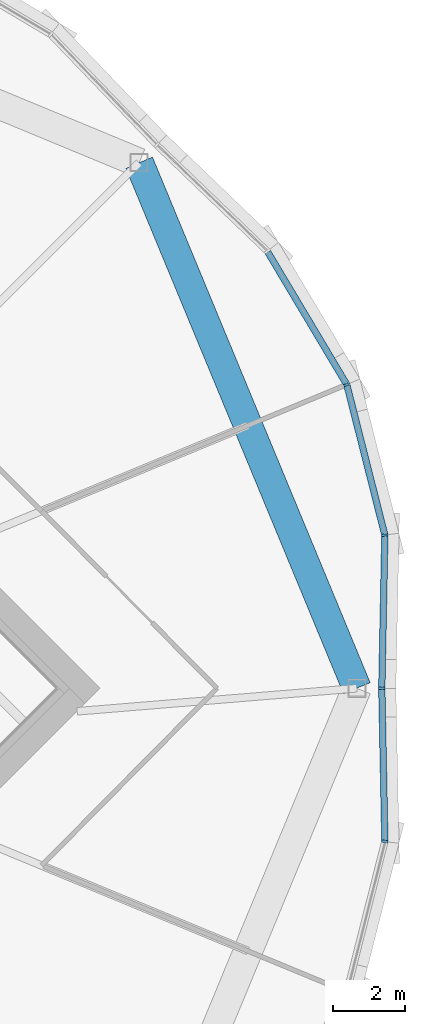
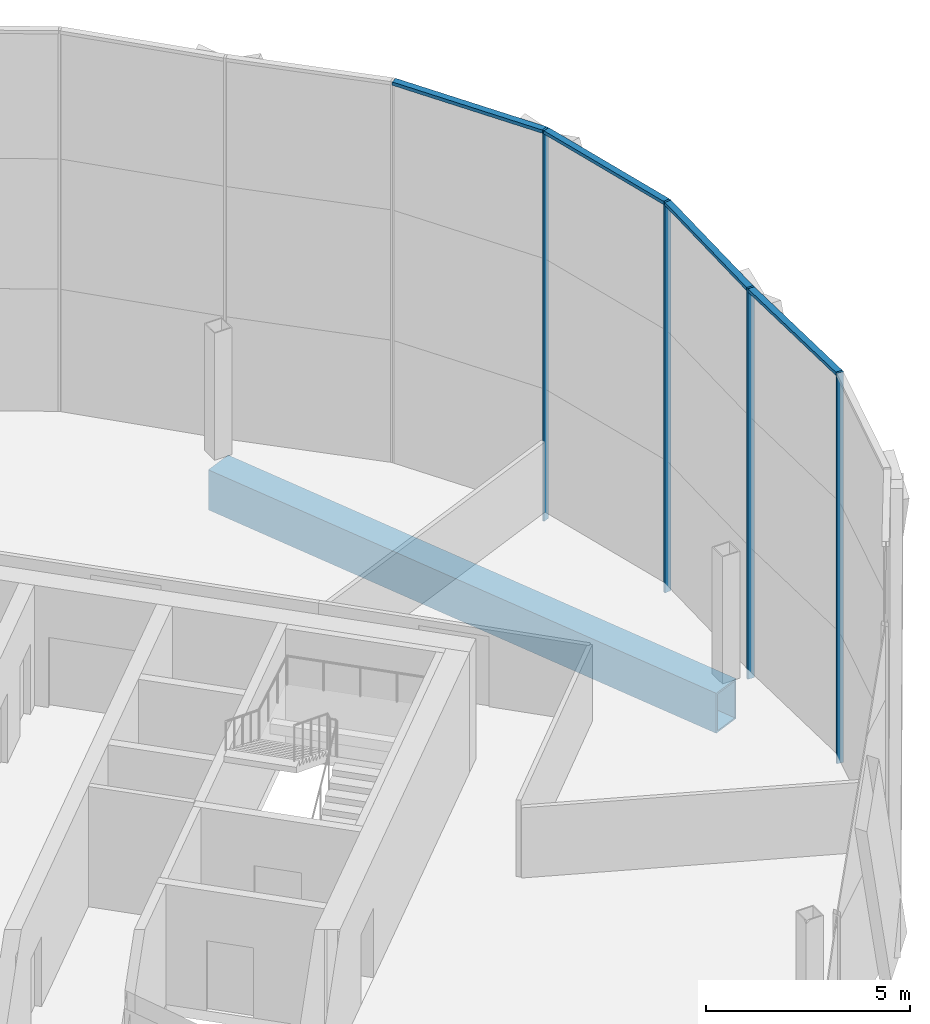
# One storey, part 12 of 25: 8 members, 1 beam, 2 elements without a shape of their own.
"""IFC4 building model written with IfcOpenShell, lengths in metres."""

import ifcopenshell
import ifcopenshell.guid

model = None  # the IFC model being written
_history = None  # IfcOwnerHistory: only IFC2X3 demands one
_inside = {}  # id of a spatial element -> (the spatial element, [elements in it])
_under = {}  # id of a project, library or spatial element -> (it, [spatial elements below it])
_declared = {}  # id of a project -> (the project, [libraries it declares])
_typed = {}  # id of a type object -> (the type object, [elements of that type])
_made_of = {}  # id of a material, layer set ... -> (it, [elements and type objects made of it])


def new_model(schema):
    """Start an empty IFC model of exactly this schema.

    Asked for "IFC4X3", IfcOpenShell would pick the latest addendum, in which some entities
    have other attributes; the version numbers below select the first issue.
    IFC2X3 requires an IfcOwnerHistory on every rooted entity: one is made here for all.
    """
    global model, _history
    if schema == "IFC4X3":
        model = ifcopenshell.file(schema_version=(4, 3, 0, 0))
    else:
        model = ifcopenshell.file(schema=schema)
    _inside.clear()
    _under.clear()
    _declared.clear()
    _typed.clear()
    _made_of.clear()
    _history = None
    if model.schema == "IFC2X3":
        org = make("IfcOrganization", Name="unknown")
        user = make(
            "IfcPersonAndOrganization",
            ThePerson=make("IfcPerson", FamilyName="unknown"),
            TheOrganization=org,
        )
        app = make(
            "IfcApplication",
            ApplicationDeveloper=org,
            Version="unknown",
            ApplicationFullName="unknown",
            ApplicationIdentifier="unknown",
        )
        _history = make(
            "IfcOwnerHistory",
            OwningUser=user,
            OwningApplication=app,
            ChangeAction="ADDED",
            CreationDate=0,
        )
    return model


def make(cls, **values):
    """One entity of the class cls with the attributes given. An attribute that is None is left unset."""
    return model.create_entity(
        cls, **{name: value for name, value in values.items() if value is not None}
    )


def rooted(cls, **values):
    """An entity with a GlobalId (a new one), such as an element, a storey or a relation."""
    return make(cls, GlobalId=ifcopenshell.guid.new(), OwnerHistory=_history, **values)


def si_unit(unit_type, name, prefix=None):
    """IfcSIUnit, for example si_unit("LENGTHUNIT", "METRE", prefix="MILLI")."""
    return make("IfcSIUnit", UnitType=unit_type, Prefix=prefix, Name=name)


def assignment(units):
    """IfcUnitAssignment: the units of a project."""
    return None if units is None else make("IfcUnitAssignment", Units=units)


def point(xyz):
    """IfcCartesianPoint."""
    return None if xyz is None else make("IfcCartesianPoint", Coordinates=xyz)


def direction(xyz):
    """IfcDirection."""
    return None if xyz is None else make("IfcDirection", DirectionRatios=xyz)


def frame(location, z_axis=None, x_axis=None):
    """IfcAxis2Placement3D, a coordinate frame: its origin and axes. An axis left out is left unset."""
    return make(
        "IfcAxis2Placement3D",
        Location=point(location),
        Axis=direction(z_axis),
        RefDirection=direction(x_axis),
    )


def frame_2d(location, x_axis=None):
    """IfcAxis2Placement2D, a coordinate frame in the plane: its origin and x axis."""
    return make(
        "IfcAxis2Placement2D", Location=point(location), RefDirection=direction(x_axis)
    )


def origin():
    """The frame at (0, 0, 0) with its axes left unset."""
    return frame((0.0, 0.0, 0.0))


def origin_2d():
    """The frame at (0, 0) in the plane with its x axis left unset."""
    return frame_2d((0.0, 0.0))


def place(relative_to, where):
    """IfcLocalPlacement: puts the frame where relative to a parent placement (None: the world)."""
    return make(
        "IfcLocalPlacement", PlacementRelTo=relative_to, RelativePlacement=where
    )


def context(
    kind, dimensions, precision=None, world=None, true_north=None, identifier=None
):
    """IfcGeometricRepresentationContext, for example the 3D "Model" context."""
    return make(
        "IfcGeometricRepresentationContext",
        ContextIdentifier=identifier,
        ContextType=kind,
        CoordinateSpaceDimension=dimensions,
        Precision=precision,
        WorldCoordinateSystem=world,
        TrueNorth=true_north,
    )


def subcontext(parent, identifier, kind, view, scale=None):
    """IfcGeometricRepresentationSubContext, for example "Body" below "Model"."""
    return make(
        "IfcGeometricRepresentationSubContext",
        ContextIdentifier=identifier,
        ContextType=kind,
        ParentContext=parent,
        TargetScale=scale,
        TargetView=view,
    )


def project(units=None, contexts=None):
    """IfcProject with its units and contexts."""
    return rooted(
        "IfcProject",
        Name="project",
        RepresentationContexts=contexts,
        UnitsInContext=assignment(units),
    )


def spatial(cls, under=None, at=None, **own):
    """A site, building, storey or space (cls), placed at a placement, below another one or the project."""
    s = rooted(cls, ObjectPlacement=at, **own)
    if under is not None:
        _under.setdefault(under.id(), (under, []))[1].append(s)
    return s


def profile(cls, at=None, kind="AREA", **sizes):
    """A parametric profile (cls). Its sizes go by their IFC names, for example OverallWidth=200.0."""
    return make(cls, ProfileType=kind, Position=at, **sizes)


def rectangle(**sizes):
    """IfcRectangleProfileDef."""
    return profile("IfcRectangleProfileDef", **sizes)


def hollow_rectangle(**sizes):
    """IfcRectangleHollowProfileDef."""
    return profile("IfcRectangleHollowProfileDef", **sizes)


def extrude(swept, where, along, depth):
    """IfcExtrudedAreaSolid: the profile swept, set in the frame where, extruded along a direction by depth."""
    return make(
        "IfcExtrudedAreaSolid",
        SweptArea=swept,
        Position=where,
        ExtrudedDirection=direction(along),
        Depth=depth,
    )


def shape(context_of_items, identifier, shape_type, items):
    """IfcShapeRepresentation: the items that make up one representation, for example the "Body"."""
    return make(
        "IfcShapeRepresentation",
        ContextOfItems=context_of_items,
        RepresentationIdentifier=identifier,
        RepresentationType=shape_type,
        Items=items,
    )


def material(Name=None, Category=None):
    """IfcMaterial."""
    return make("IfcMaterial", Name=Name, Category=Category)


def material_profile(
    of_material, cross_section, Name=None, Category=None, Priority=None
):
    """IfcMaterialProfile: a cross section and its material."""
    return make(
        "IfcMaterialProfile",
        Name=Name,
        Material=of_material,
        Profile=cross_section,
        Priority=Priority,
        Category=Category,
    )


def profile_set(profiles, Name=None, composite=None):
    """IfcMaterialProfileSet."""
    return make(
        "IfcMaterialProfileSet",
        Name=Name,
        MaterialProfiles=profiles,
        CompositeProfile=composite,
    )


def made_of(thing, what):
    """Note that an element or type object is made of a material, layer set ...; save() writes the relation."""
    if what is not None:
        _made_of.setdefault(what.id(), (what, []))[1].append(thing)
    return thing


def type_object(cls, material=None, **own):
    """A type object (cls), such as IfcWallType, which elements share."""
    return made_of(rooted(cls, **own), material)


def element(
    cls,
    number,
    at=None,
    inside=None,
    cuts=None,
    type_object=None,
    material=None,
    context=None,
    identifier="Body",
    shape_type=None,
    held_by="IfcProductDefinitionShape",
    body=None,
    shapes=None,
    **own,
):
    """One element of the class cls, such as IfcWall. Its Tag is "e" and its number.

    at: its placement. inside: the storey or other place that contains it. cuts: it is an
    opening in that element (IfcRelVoidsElement). A single representation is given by context,
    identifier, shape_type and body (its items); several are given by shapes. held_by: the class
    of the entity that holds the representations. save() writes the other relations.
    """
    e = rooted(cls, Tag="e%d" % number, ObjectPlacement=at, **own)
    if body is not None:
        shapes = [shape(context, identifier, shape_type, body)]
    if shapes is not None:
        e.Representation = make(held_by, Representations=shapes)
    if inside is not None:
        _inside.setdefault(inside.id(), (inside, []))[1].append(e)
    if cuts is not None:
        rooted(
            "IfcRelVoidsElement", RelatingBuildingElement=cuts, RelatedOpeningElement=e
        )
    if type_object is not None:
        _typed.setdefault(type_object.id(), (type_object, []))[1].append(e)
    return made_of(e, material)


def aggregate(whole, parts):
    """IfcRelAggregates: a whole, such as a stair, and the parts it consists of."""
    return rooted("IfcRelAggregates", RelatingObject=whole, RelatedObjects=parts)


def save(model, path):
    """Write the relations noted so far, then the file.

    IfcRelAggregates (storeys below a building ...), IfcRelContainedInSpatialStructure (elements
    in a storey), IfcRelDefinesByType, IfcRelAssociatesMaterial and IfcRelDeclares: one each for
    every whole, place, type object, material and project.
    """
    for whole, parts in _under.values():
        aggregate(whole, parts)
    for where, things in _inside.values():
        rooted(
            "IfcRelContainedInSpatialStructure",
            RelatedElements=things,
            RelatingStructure=where,
        )
    for kind, things in _typed.values():
        rooted("IfcRelDefinesByType", RelatedObjects=things, RelatingType=kind)
    for what, things in _made_of.values():
        rooted("IfcRelAssociatesMaterial", RelatedObjects=things, RelatingMaterial=what)
    for by, libraries in _declared.values():
        rooted("IfcRelDeclares", RelatingContext=by, RelatedDefinitions=libraries)
    model.write(path)


model = new_model("IFC4")

# Units and contexts
model_context = context("Model", 3, precision=1e-05, world=origin(), true_north=direction((0.0, 1.0)))
body_context = subcontext(model_context, "Body", "Model", "MODEL_VIEW")
ifc_project = project(units=[si_unit("LENGTHUNIT", "METRE"), si_unit("AREAUNIT", "SQUARE_METRE"), si_unit("VOLUMEUNIT", "CUBIC_METRE"), si_unit("PLANEANGLEUNIT", "RADIAN"), si_unit("MASSUNIT", "GRAM", prefix="KILO")], contexts=[model_context])

# Site, building, storey
site_placement = place(None, origin())
site = spatial("IfcSite", under=ifc_project, at=site_placement, CompositionType="ELEMENT")
building_placement = place(site_placement, origin())
building = spatial("IfcBuilding", under=site, at=building_placement, Name="Ogive Gate Towers", CompositionType="ELEMENT")
storey_placement = place(building_placement, frame((0.0, 0.0, 196.800048828125)))
storey = spatial("IfcBuildingStorey", under=building, at=storey_placement, Name="L47", CompositionType="ELEMENT", Elevation=196.800048828125)

# Beam
ifc_material_1 = material(Name="Steel SM460", Category="steel")
ifc_material_profile_1 = material_profile(ifc_material_1, hollow_rectangle(XDim=0.800048828125, YDim=1.199951171875, WallThickness=0.050048828125, at=origin_2d()), Name="BX 1200x800x50")
ifc_profile_set_1 = profile_set([ifc_material_profile_1], Name="Steel SM460")
beam_type = type_object("IfcBeamType", Name="Edge girder BX 1200x800x50", PredefinedType="BEAM", material=ifc_profile_set_1)
beam_placement = place(storey_placement, frame((56.52001953125, 0.0, -0.900146484375), z_axis=(-0.38268953008, 0.923877006731, 0.0), x_axis=(-0.923877006731, -0.38268953008, 0.0)))
element("IfcBeam", 1, at=beam_placement, inside=storey, type_object=beam_type, Name="T2/L47/SBM020", PredefinedType="BEAM", context=body_context, shape_type="SweptSolid", body=[
    extrude(hollow_rectangle(XDim=0.800048828125, YDim=1.199951171875, WallThickness=0.050048828125, at=origin_2d()), origin(), (0.0, 0.0, 1.0), 15.705322265625),
])

# Curtain wall, members
ifc_material_2 = material(Name="Pale metal aluminium", Category="aluminium")
curtain_wall_type = type_object("IfcCurtainWallType", Name="Tower unitised wall, high zone", PredefinedType="NOTDEFINED", material=ifc_material_2)
curtain_wall_1_placement = place(storey_placement, origin())
curtain_wall_1 = element("IfcCurtainWall", 2, at=curtain_wall_1_placement, inside=storey, type_object=curtain_wall_type, Name="CW2 T2 ECW01", PredefinedType="NOTDEFINED")
ifc_material_profile_2 = material_profile(ifc_material_2, rectangle(XDim=0.179931640625, YDim=0.06005859375, at=origin_2d()), Name="60 x 180 aluminium box")
ifc_profile_set_2 = profile_set([ifc_material_profile_2], Name="Pale metal aluminium")
member_type_1 = type_object("IfcMemberType", Name="Tower unitised wall, high zone mullion 60 x 180", PredefinedType="MULLION", material=ifc_profile_set_2)
member_1_placement = place(storey_placement, frame((57.2099609375, 0.000244140625, -0.300048828125), z_axis=(0.0, 0.0, 1.0), x_axis=(0.999798928628, -0.020052489003, 0.0)))
member_1 = element("IfcMember", 3, at=member_1_placement, type_object=member_type_1, Name="CW2 mullion", PredefinedType="MULLION", context=body_context, shape_type="SweptSolid", body=[
    extrude(rectangle(XDim=0.179931640625, YDim=0.06005859375, at=origin_2d()), origin(), (0.0, 0.0, 1.0), 11.699951171875),
])
member_2_placement = place(storey_placement, frame((57.294921875, 4.228271484375, -0.300048828125), z_axis=(0.0, 0.0, 1.0), x_axis=(0.993522366877, 0.113636730484, 0.0)))
member_2 = element("IfcMember", 4, at=member_2_placement, type_object=member_type_1, Name="CW2 mullion", PredefinedType="MULLION", context=body_context, shape_type="SweptSolid", body=[
    extrude(rectangle(XDim=0.179931640625, YDim=0.06005859375, at=origin_2d()), origin(), (0.0, 0.0, 1.0), 11.699951171875),
])
member_3_placement = place(storey_placement, frame((56.2431640625, 8.385009765625, -0.300048828125), z_axis=(0.0, 0.0, 1.0), x_axis=(0.923879532511, 0.382683432365, 0.0)))
member_3 = element("IfcMember", 5, at=member_3_placement, type_object=member_type_1, Name="CW2 mullion", PredefinedType="MULLION", context=body_context, shape_type="SweptSolid", body=[
    extrude(rectangle(XDim=0.179931640625, YDim=0.06005859375, at=origin_2d()), origin(), (0.0, 0.0, 1.0), 11.699951171875),
])

# Curtain wall, member
curtain_wall_2_placement = place(storey_placement, origin())
curtain_wall_2 = element("IfcCurtainWall", 6, at=curtain_wall_2_placement, inside=storey, type_object=curtain_wall_type, Name="CW2 T2 ECW08", PredefinedType="NOTDEFINED")
member_4_placement = place(storey_placement, frame((57.294921875, -4.228271484375, -0.300048828125), z_axis=(0.0, 0.0, 1.0), x_axis=(0.993522366877, -0.113636730484, 0.0)))
member_4 = element("IfcMember", 7, at=member_4_placement, type_object=member_type_1, Name="CW2 mullion", PredefinedType="MULLION", context=body_context, shape_type="SweptSolid", body=[
    extrude(rectangle(XDim=0.179931640625, YDim=0.06005859375, at=origin_2d()), origin(), (0.0, 0.0, 1.0), 11.699951171875),
])

# Member
ifc_material_profile_3 = material_profile(ifc_material_2, rectangle(XDim=0.179931640625, YDim=0.10009765625, at=origin_2d()), Name="100 x 180 aluminium box")
ifc_profile_set_3 = profile_set([ifc_material_profile_3], Name="Pale metal aluminium")
member_type_2 = type_object("IfcMemberType", Name="Tower unitised wall, high zone transom 100 x 180", PredefinedType="USERDEFINED", material=ifc_profile_set_3)
member_5_placement = place(storey_placement, frame((57.210693359375, 0.0302734375, 11.349853515625), z_axis=(0.020022921839, 0.999799521205, 0.0), x_axis=(-0.999799521205, 0.020022921839, 0.0)))
member_5 = element("IfcMember", 8, at=member_5_placement, type_object=member_type_2, Name="CW2 transom", ObjectType="TRANSOM", PredefinedType="USERDEFINED", context=body_context, shape_type="SweptSolid", body=[
    extrude(rectangle(XDim=0.179931640625, YDim=0.10009765625, at=origin_2d()), origin(), (0.0, 0.0, 1.0), 4.169921875),
])

member_6_placement = place(storey_placement, frame((57.28759765625, 4.255859375, 11.349853515625), z_axis=(-0.245250248559, 0.969459806068, 0.0), x_axis=(-0.969459806068, -0.245250248559, 0.0)))
member_6 = element("IfcMember", 9, at=member_6_placement, type_object=member_type_2, Name="CW2 transom", ObjectType="TRANSOM", PredefinedType="USERDEFINED", context=body_context, shape_type="SweptSolid", body=[
    extrude(rectangle(XDim=0.179931640625, YDim=0.10009765625, at=origin_2d()), origin(), (0.0, 0.0, 1.0), 4.230712890625),
])

member_7_placement = place(storey_placement, frame((56.228515625, 8.409423828125, 11.349853515625), z_axis=(-0.512057991899, 0.858950879232, 0.0), x_axis=(-0.858950879232, -0.512057991899, 0.0)))
member_7 = element("IfcMember", 10, at=member_7_placement, type_object=member_type_2, Name="CW2 transom", ObjectType="TRANSOM", PredefinedType="USERDEFINED", context=body_context, shape_type="SweptSolid", body=[
    extrude(rectangle(XDim=0.179931640625, YDim=0.10009765625, at=origin_2d()), origin(), (0.0, 0.0, 1.0), 4.23046875),
])

aggregate(curtain_wall_1, [member_1, member_2, member_5, member_3, member_6, member_7])

member_8_placement = place(storey_placement, frame((57.294189453125, -4.199462890625, 11.349853515625), z_axis=(-0.020022921839, 0.999799521205, 0.0), x_axis=(-0.999799521205, -0.020022921839, 0.0)))
member_8 = element("IfcMember", 11, at=member_8_placement, type_object=member_type_2, Name="CW2 transom", ObjectType="TRANSOM", PredefinedType="USERDEFINED", context=body_context, shape_type="SweptSolid", body=[
    extrude(rectangle(XDim=0.179931640625, YDim=0.10009765625, at=origin_2d()), origin(), (0.0, 0.0, 1.0), 4.169921875),
])

aggregate(curtain_wall_2, [member_4, member_8])

save(model, "model.ifc")
